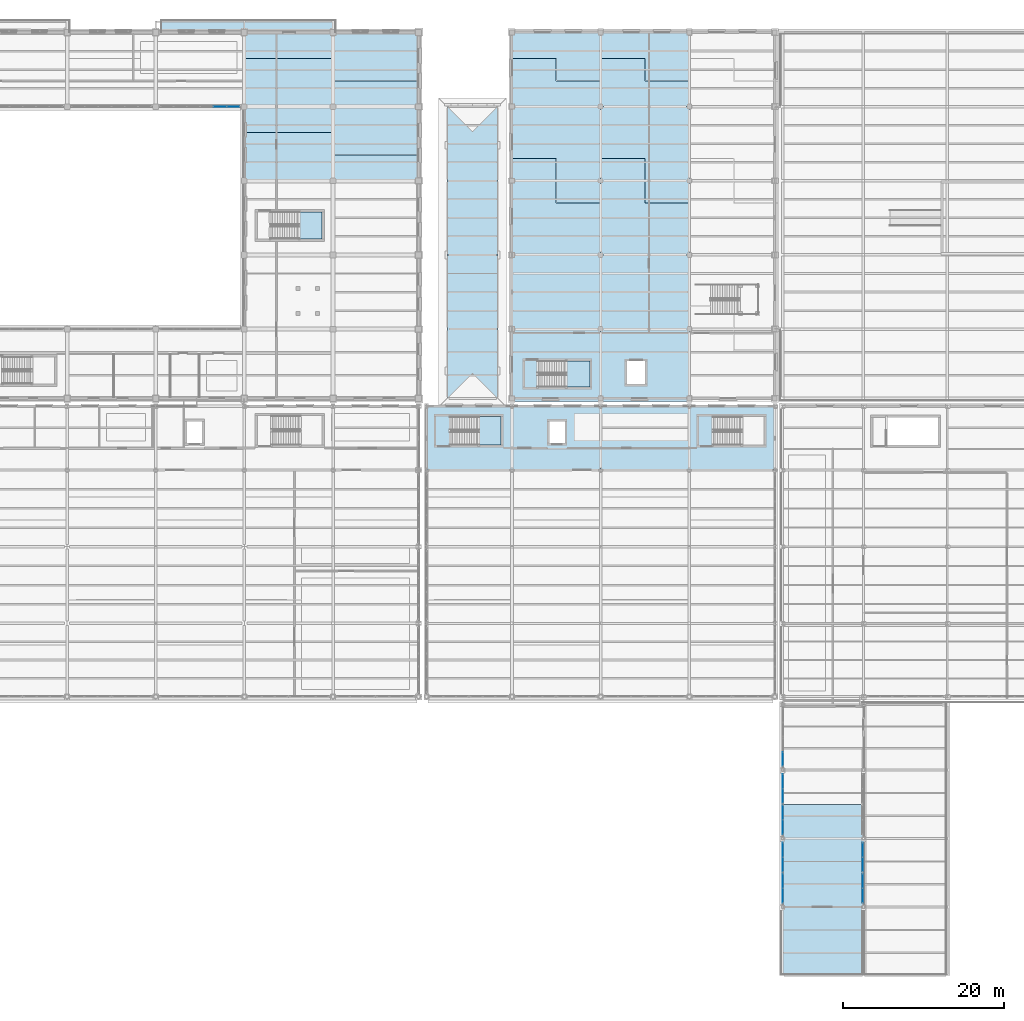
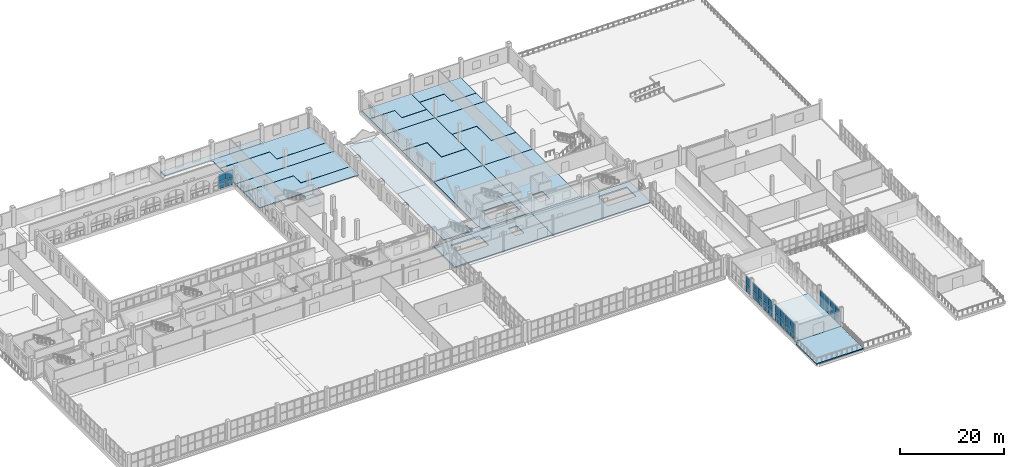
# One storey, part 107 of 156: 30 plates, 24 slabs, 11 elements without a shape of their own.
"""IFC4 building model written with IfcOpenShell, lengths in metres."""

from ifc_helpers import new_model, si_unit, direction, frame, origin, origin_2d, place, context, subcontext, project, spatial, polyline, rectangle, outline, extrude, material, layer, layer_set, type_object, element, aggregate, save


model = new_model("IFC4")

# Units and contexts
model_context = context("Model", 3, precision=1e-05, world=origin(), true_north=direction((0.0, 1.0)))
body_context = subcontext(model_context, "Body", "Model", "MODEL_VIEW")
ifc_project = project(units=[si_unit("LENGTHUNIT", "METRE"), si_unit("AREAUNIT", "SQUARE_METRE"), si_unit("VOLUMEUNIT", "CUBIC_METRE"), si_unit("PLANEANGLEUNIT", "RADIAN"), si_unit("MASSUNIT", "GRAM", prefix="KILO")], contexts=[model_context])

# Site, building, storey
site_placement = place(None, origin())
site = spatial("IfcSite", under=ifc_project, at=site_placement, CompositionType="ELEMENT")
building_placement = place(site_placement, origin())
building = spatial("IfcBuilding", under=site, at=building_placement, Name="Caurita Quay Ferry Terminal", CompositionType="ELEMENT")
storey_placement = place(building_placement, frame((0.0, 0.0, 5.39990234375)))
storey = spatial("IfcBuildingStorey", under=building, at=storey_placement, Name="L01", CompositionType="ELEMENT", Elevation=5.39990234375)

# Curtain wall, plates
ifc_material_1 = material(Name="Laminated solar-control insulated glass", Category="glass")
curtain_wall_type_1 = type_object("IfcCurtainWallType", Name="CW-SYS-15", PredefinedType="NOTDEFINED", material=ifc_material_1)
curtain_wall_1_placement = place(storey_placement, origin())
curtain_wall_1 = element("IfcCurtainWall", 1, at=curtain_wall_1_placement, inside=storey, type_object=curtain_wall_type_1, Name="Boarding Gangway Ribbon Curtain Wall 113", PredefinedType="NOTDEFINED")
ifc_layer_1 = layer(ifc_material_1, 0.02392578125, Name="Laminated low-e hurricane-rated glazing unit 24 mm")
ifc_layer_set_1 = layer_set([ifc_layer_1], Name="Laminated solar-control insulated glass")
plate_type = type_object("IfcPlateType", Name="CW-PNL-24", PredefinedType="CURTAIN_PANEL", material=ifc_layer_set_1)
plate_1_placement = place(storey_placement, frame((132.800048828125, 9.91259765625, 0.05322265625), z_axis=(0.0, 0.0, 1.0), x_axis=(0.0, 1.0, 0.0)))
plate_1 = element("IfcPlate", 2, at=plate_1_placement, type_object=plate_type, Name="CW-BGW-113 Glazing Panel 1", PredefinedType="CURTAIN_PANEL", context=body_context, shape_type="SweptSolid", body=[
    extrude(rectangle(XDim=1.7490234375, YDim=0.02392578125, at=origin_2d()), origin(), (0.0, 0.0, 1.0), 1.79638671875),
])
plate_2_placement = place(storey_placement, frame((132.800048828125, 9.91259765625, 1.900634765625), z_axis=(0.0, 0.0, 1.0), x_axis=(0.0, 1.0, 0.0)))
plate_2 = element("IfcPlate", 3, at=plate_2_placement, type_object=plate_type, Name="CW-BGW-113 Glazing Panel 2", PredefinedType="CURTAIN_PANEL", context=body_context, shape_type="SweptSolid", body=[
    extrude(rectangle(XDim=1.7490234375, YDim=0.02392578125, at=origin_2d()), origin(), (0.0, 0.0, 1.0), 1.79638671875),
])
plate_3_placement = place(storey_placement, frame((132.800048828125, 11.717529296875, 0.05322265625), z_axis=(0.0, 0.0, 1.0), x_axis=(0.0, 1.0, 0.0)))
plate_3 = element("IfcPlate", 4, at=plate_3_placement, type_object=plate_type, Name="CW-BGW-113 Glazing Panel 3", PredefinedType="CURTAIN_PANEL", context=body_context, shape_type="SweptSolid", body=[
    extrude(rectangle(XDim=1.7490234375, YDim=0.02392578125, at=origin_2d()), origin(), (0.0, 0.0, 1.0), 1.79638671875),
])
plate_4_placement = place(storey_placement, frame((132.800048828125, 11.717529296875, 1.900634765625), z_axis=(0.0, 0.0, 1.0), x_axis=(0.0, 1.0, 0.0)))
plate_4 = element("IfcPlate", 5, at=plate_4_placement, type_object=plate_type, Name="CW-BGW-113 Glazing Panel 4", PredefinedType="CURTAIN_PANEL", context=body_context, shape_type="SweptSolid", body=[
    extrude(rectangle(XDim=1.7490234375, YDim=0.02392578125, at=origin_2d()), origin(), (0.0, 0.0, 1.0), 1.79638671875),
])
aggregate(curtain_wall_1, [plate_1, plate_2, plate_3, plate_4])

curtain_wall_2_placement = place(storey_placement, origin())
curtain_wall_2 = element("IfcCurtainWall", 6, at=curtain_wall_2_placement, inside=storey, type_object=curtain_wall_type_1, Name="Boarding Gangway Ribbon Curtain Wall 114", PredefinedType="NOTDEFINED")
plate_5_placement = place(storey_placement, frame((132.800048828125, 13.782470703125, 0.05322265625), z_axis=(0.0, 0.0, 1.0), x_axis=(0.0, 1.0, 0.0)))
plate_5 = element("IfcPlate", 7, at=plate_5_placement, type_object=plate_type, Name="CW-BGW-114 Glazing Panel 1", PredefinedType="CURTAIN_PANEL", context=body_context, shape_type="SweptSolid", body=[
    extrude(rectangle(XDim=1.7490234375, YDim=0.02392578125, at=origin_2d()), origin(), (0.0, 0.0, 1.0), 1.79638671875),
])
plate_6_placement = place(storey_placement, frame((132.800048828125, 13.782470703125, 1.900634765625), z_axis=(0.0, 0.0, 1.0), x_axis=(0.0, 1.0, 0.0)))
plate_6 = element("IfcPlate", 8, at=plate_6_placement, type_object=plate_type, Name="CW-BGW-114 Glazing Panel 2", PredefinedType="CURTAIN_PANEL", context=body_context, shape_type="SweptSolid", body=[
    extrude(rectangle(XDim=1.7490234375, YDim=0.02392578125, at=origin_2d()), origin(), (0.0, 0.0, 1.0), 1.79638671875),
])
plate_7_placement = place(storey_placement, frame((132.800048828125, 15.58740234375, 0.05322265625), z_axis=(0.0, 0.0, 1.0), x_axis=(0.0, 1.0, 0.0)))
plate_7 = element("IfcPlate", 9, at=plate_7_placement, type_object=plate_type, Name="CW-BGW-114 Glazing Panel 3", PredefinedType="CURTAIN_PANEL", context=body_context, shape_type="SweptSolid", body=[
    extrude(rectangle(XDim=1.7490234375, YDim=0.02392578125, at=origin_2d()), origin(), (0.0, 0.0, 1.0), 1.79638671875),
])
plate_8_placement = place(storey_placement, frame((132.800048828125, 15.58740234375, 1.900634765625), z_axis=(0.0, 0.0, 1.0), x_axis=(0.0, 1.0, 0.0)))
plate_8 = element("IfcPlate", 10, at=plate_8_placement, type_object=plate_type, Name="CW-BGW-114 Glazing Panel 4", PredefinedType="CURTAIN_PANEL", context=body_context, shape_type="SweptSolid", body=[
    extrude(rectangle(XDim=1.7490234375, YDim=0.02392578125, at=origin_2d()), origin(), (0.0, 0.0, 1.0), 1.79638671875),
])
aggregate(curtain_wall_2, [plate_5, plate_6, plate_7, plate_8])

curtain_wall_3_placement = place(storey_placement, origin())
curtain_wall_3 = element("IfcCurtainWall", 11, at=curtain_wall_3_placement, inside=storey, type_object=curtain_wall_type_1, Name="Boarding Gangway Ribbon Curtain Wall 115", PredefinedType="NOTDEFINED")
plate_9_placement = place(storey_placement, frame((132.800048828125, 18.41259765625, 0.05322265625), z_axis=(0.0, 0.0, 1.0), x_axis=(0.0, 1.0, 0.0)))
plate_9 = element("IfcPlate", 12, at=plate_9_placement, type_object=plate_type, Name="CW-BGW-115 Glazing Panel 1", PredefinedType="CURTAIN_PANEL", context=body_context, shape_type="SweptSolid", body=[
    extrude(rectangle(XDim=1.7490234375, YDim=0.02392578125, at=origin_2d()), origin(), (0.0, 0.0, 1.0), 1.79638671875),
])
plate_10_placement = place(storey_placement, frame((132.800048828125, 18.41259765625, 1.900634765625), z_axis=(0.0, 0.0, 1.0), x_axis=(0.0, 1.0, 0.0)))
plate_10 = element("IfcPlate", 13, at=plate_10_placement, type_object=plate_type, Name="CW-BGW-115 Glazing Panel 2", PredefinedType="CURTAIN_PANEL", context=body_context, shape_type="SweptSolid", body=[
    extrude(rectangle(XDim=1.7490234375, YDim=0.02392578125, at=origin_2d()), origin(), (0.0, 0.0, 1.0), 1.79638671875),
])
plate_11_placement = place(storey_placement, frame((132.800048828125, 20.217529296875, 0.05322265625), z_axis=(0.0, 0.0, 1.0), x_axis=(0.0, 1.0, 0.0)))
plate_11 = element("IfcPlate", 14, at=plate_11_placement, type_object=plate_type, Name="CW-BGW-115 Glazing Panel 3", PredefinedType="CURTAIN_PANEL", context=body_context, shape_type="SweptSolid", body=[
    extrude(rectangle(XDim=1.7490234375, YDim=0.02392578125, at=origin_2d()), origin(), (0.0, 0.0, 1.0), 1.79638671875),
])
plate_12_placement = place(storey_placement, frame((132.800048828125, 20.217529296875, 1.900634765625), z_axis=(0.0, 0.0, 1.0), x_axis=(0.0, 1.0, 0.0)))
plate_12 = element("IfcPlate", 15, at=plate_12_placement, type_object=plate_type, Name="CW-BGW-115 Glazing Panel 4", PredefinedType="CURTAIN_PANEL", context=body_context, shape_type="SweptSolid", body=[
    extrude(rectangle(XDim=1.7490234375, YDim=0.02392578125, at=origin_2d()), origin(), (0.0, 0.0, 1.0), 1.79638671875),
])
aggregate(curtain_wall_3, [plate_9, plate_10, plate_11, plate_12])

curtain_wall_4_placement = place(storey_placement, origin())
curtain_wall_4 = element("IfcCurtainWall", 16, at=curtain_wall_4_placement, inside=storey, type_object=curtain_wall_type_1, Name="Boarding Gangway Ribbon Curtain Wall 116", PredefinedType="NOTDEFINED")
plate_13_placement = place(storey_placement, frame((132.800048828125, 22.282470703125, 0.05322265625), z_axis=(0.0, 0.0, 1.0), x_axis=(0.0, 1.0, 0.0)))
plate_13 = element("IfcPlate", 17, at=plate_13_placement, type_object=plate_type, Name="CW-BGW-116 Glazing Panel 1", PredefinedType="CURTAIN_PANEL", context=body_context, shape_type="SweptSolid", body=[
    extrude(rectangle(XDim=1.7490234375, YDim=0.02392578125, at=origin_2d()), origin(), (0.0, 0.0, 1.0), 1.79638671875),
])
plate_14_placement = place(storey_placement, frame((132.800048828125, 22.282470703125, 1.900634765625), z_axis=(0.0, 0.0, 1.0), x_axis=(0.0, 1.0, 0.0)))
plate_14 = element("IfcPlate", 18, at=plate_14_placement, type_object=plate_type, Name="CW-BGW-116 Glazing Panel 2", PredefinedType="CURTAIN_PANEL", context=body_context, shape_type="SweptSolid", body=[
    extrude(rectangle(XDim=1.7490234375, YDim=0.02392578125, at=origin_2d()), origin(), (0.0, 0.0, 1.0), 1.79638671875),
])
plate_15_placement = place(storey_placement, frame((132.800048828125, 24.08740234375, 0.05322265625), z_axis=(0.0, 0.0, 1.0), x_axis=(0.0, 1.0, 0.0)))
plate_15 = element("IfcPlate", 19, at=plate_15_placement, type_object=plate_type, Name="CW-BGW-116 Glazing Panel 3", PredefinedType="CURTAIN_PANEL", context=body_context, shape_type="SweptSolid", body=[
    extrude(rectangle(XDim=1.7490234375, YDim=0.02392578125, at=origin_2d()), origin(), (0.0, 0.0, 1.0), 1.79638671875),
])
plate_16_placement = place(storey_placement, frame((132.800048828125, 24.08740234375, 1.900634765625), z_axis=(0.0, 0.0, 1.0), x_axis=(0.0, 1.0, 0.0)))
plate_16 = element("IfcPlate", 20, at=plate_16_placement, type_object=plate_type, Name="CW-BGW-116 Glazing Panel 4", PredefinedType="CURTAIN_PANEL", context=body_context, shape_type="SweptSolid", body=[
    extrude(rectangle(XDim=1.7490234375, YDim=0.02392578125, at=origin_2d()), origin(), (0.0, 0.0, 1.0), 1.79638671875),
])
aggregate(curtain_wall_4, [plate_13, plate_14, plate_15, plate_16])

curtain_wall_type_2 = type_object("IfcCurtainWallType", Name="CW-SYS-16", PredefinedType="NOTDEFINED", material=ifc_material_1)
curtain_wall_5_placement = place(storey_placement, origin())
curtain_wall_5 = element("IfcCurtainWall", 21, at=curtain_wall_5_placement, inside=storey, type_object=curtain_wall_type_2, Name="Boarding Gangway Ribbon Curtain Wall 117", PredefinedType="NOTDEFINED")
plate_17_placement = place(storey_placement, frame((132.800048828125, 26.862548828125, 0.05322265625), z_axis=(0.0, 0.0, 1.0), x_axis=(0.0, 1.0, 0.0)))
plate_17 = element("IfcPlate", 22, at=plate_17_placement, type_object=plate_type, Name="CW-BGW-117 Glazing Panel 1", PredefinedType="CURTAIN_PANEL", context=body_context, shape_type="SweptSolid", body=[
    extrude(rectangle(XDim=1.64892578125, YDim=0.02392578125, at=origin_2d()), origin(), (0.0, 0.0, 1.0), 1.79638671875),
])
plate_18_placement = place(storey_placement, frame((132.800048828125, 26.862548828125, 1.900634765625), z_axis=(0.0, 0.0, 1.0), x_axis=(0.0, 1.0, 0.0)))
plate_18 = element("IfcPlate", 23, at=plate_18_placement, type_object=plate_type, Name="CW-BGW-117 Glazing Panel 2", PredefinedType="CURTAIN_PANEL", context=body_context, shape_type="SweptSolid", body=[
    extrude(rectangle(XDim=1.64892578125, YDim=0.02392578125, at=origin_2d()), origin(), (0.0, 0.0, 1.0), 1.79638671875),
])
aggregate(curtain_wall_5, [plate_17, plate_18])

curtain_wall_6_placement = place(storey_placement, origin())
curtain_wall_6 = element("IfcCurtainWall", 24, at=curtain_wall_6_placement, inside=storey, type_object=curtain_wall_type_1, Name="Boarding Gangway Ribbon Curtain Wall 119", PredefinedType="NOTDEFINED")
plate_19_placement = place(storey_placement, frame((142.699951171875, 9.91259765625, 0.05322265625), z_axis=(0.0, 0.0, 1.0), x_axis=(0.0, 1.0, 0.0)))
plate_19 = element("IfcPlate", 25, at=plate_19_placement, type_object=plate_type, Name="CW-BGW-119 Glazing Panel 1", PredefinedType="CURTAIN_PANEL", context=body_context, shape_type="SweptSolid", body=[
    extrude(rectangle(XDim=1.7490234375, YDim=0.02392578125, at=origin_2d()), origin(), (0.0, 0.0, 1.0), 1.79638671875),
])
plate_20_placement = place(storey_placement, frame((142.699951171875, 9.91259765625, 1.900634765625), z_axis=(0.0, 0.0, 1.0), x_axis=(0.0, 1.0, 0.0)))
plate_20 = element("IfcPlate", 26, at=plate_20_placement, type_object=plate_type, Name="CW-BGW-119 Glazing Panel 2", PredefinedType="CURTAIN_PANEL", context=body_context, shape_type="SweptSolid", body=[
    extrude(rectangle(XDim=1.7490234375, YDim=0.02392578125, at=origin_2d()), origin(), (0.0, 0.0, 1.0), 1.79638671875),
])
plate_21_placement = place(storey_placement, frame((142.699951171875, 11.717529296875, 0.05322265625), z_axis=(0.0, 0.0, 1.0), x_axis=(0.0, 1.0, 0.0)))
plate_21 = element("IfcPlate", 27, at=plate_21_placement, type_object=plate_type, Name="CW-BGW-119 Glazing Panel 3", PredefinedType="CURTAIN_PANEL", context=body_context, shape_type="SweptSolid", body=[
    extrude(rectangle(XDim=1.7490234375, YDim=0.02392578125, at=origin_2d()), origin(), (0.0, 0.0, 1.0), 1.79638671875),
])
plate_22_placement = place(storey_placement, frame((142.699951171875, 11.717529296875, 1.900634765625), z_axis=(0.0, 0.0, 1.0), x_axis=(0.0, 1.0, 0.0)))
plate_22 = element("IfcPlate", 28, at=plate_22_placement, type_object=plate_type, Name="CW-BGW-119 Glazing Panel 4", PredefinedType="CURTAIN_PANEL", context=body_context, shape_type="SweptSolid", body=[
    extrude(rectangle(XDim=1.7490234375, YDim=0.02392578125, at=origin_2d()), origin(), (0.0, 0.0, 1.0), 1.79638671875),
])
aggregate(curtain_wall_6, [plate_19, plate_20, plate_21, plate_22])

curtain_wall_7_placement = place(storey_placement, origin())
curtain_wall_7 = element("IfcCurtainWall", 29, at=curtain_wall_7_placement, inside=storey, type_object=curtain_wall_type_1, Name="Boarding Gangway Ribbon Curtain Wall 120", PredefinedType="NOTDEFINED")
plate_23_placement = place(storey_placement, frame((142.699951171875, 13.782470703125, 0.05322265625), z_axis=(0.0, 0.0, 1.0), x_axis=(0.0, 1.0, 0.0)))
plate_23 = element("IfcPlate", 30, at=plate_23_placement, type_object=plate_type, Name="CW-BGW-120 Glazing Panel 1", PredefinedType="CURTAIN_PANEL", context=body_context, shape_type="SweptSolid", body=[
    extrude(rectangle(XDim=1.7490234375, YDim=0.02392578125, at=origin_2d()), origin(), (0.0, 0.0, 1.0), 1.79638671875),
])
plate_24_placement = place(storey_placement, frame((142.699951171875, 13.782470703125, 1.900634765625), z_axis=(0.0, 0.0, 1.0), x_axis=(0.0, 1.0, 0.0)))
plate_24 = element("IfcPlate", 31, at=plate_24_placement, type_object=plate_type, Name="CW-BGW-120 Glazing Panel 2", PredefinedType="CURTAIN_PANEL", context=body_context, shape_type="SweptSolid", body=[
    extrude(rectangle(XDim=1.7490234375, YDim=0.02392578125, at=origin_2d()), origin(), (0.0, 0.0, 1.0), 1.79638671875),
])
plate_25_placement = place(storey_placement, frame((142.699951171875, 15.58740234375, 0.05322265625), z_axis=(0.0, 0.0, 1.0), x_axis=(0.0, 1.0, 0.0)))
plate_25 = element("IfcPlate", 32, at=plate_25_placement, type_object=plate_type, Name="CW-BGW-120 Glazing Panel 3", PredefinedType="CURTAIN_PANEL", context=body_context, shape_type="SweptSolid", body=[
    extrude(rectangle(XDim=1.7490234375, YDim=0.02392578125, at=origin_2d()), origin(), (0.0, 0.0, 1.0), 1.79638671875),
])
plate_26_placement = place(storey_placement, frame((142.699951171875, 15.58740234375, 1.900634765625), z_axis=(0.0, 0.0, 1.0), x_axis=(0.0, 1.0, 0.0)))
plate_26 = element("IfcPlate", 33, at=plate_26_placement, type_object=plate_type, Name="CW-BGW-120 Glazing Panel 4", PredefinedType="CURTAIN_PANEL", context=body_context, shape_type="SweptSolid", body=[
    extrude(rectangle(XDim=1.7490234375, YDim=0.02392578125, at=origin_2d()), origin(), (0.0, 0.0, 1.0), 1.79638671875),
])
aggregate(curtain_wall_7, [plate_23, plate_24, plate_25, plate_26])

curtain_wall_type_3 = type_object("IfcCurtainWallType", Name="CW-SYS-23", PredefinedType="NOTDEFINED", material=ifc_material_1)
curtain_wall_8_placement = place(storey_placement, origin())
curtain_wall_8 = element("IfcCurtainWall", 34, at=curtain_wall_8_placement, inside=storey, type_object=curtain_wall_type_3, Name="L01 Courtyard Cloister Storefront 163", PredefinedType="NOTDEFINED")
plate_27_placement = place(storey_placement, frame((62.97509765625, 107.800048828125, 0.05810546875), z_axis=(0.0, 0.0, 1.0), x_axis=(1.0, 0.0, 0.0)))
plate_27 = element("IfcPlate", 35, at=plate_27_placement, type_object=plate_type, Name="CW-CRT-163 Glazing Panel 9", PredefinedType="CURTAIN_PANEL", context=body_context, shape_type="SweptSolid", body=[
    extrude(rectangle(XDim=1.593994140625, YDim=0.02392578125, at=origin_2d()), origin(), (0.0, 0.0, 1.0), 1.714111328125),
])
plate_28_placement = place(storey_placement, frame((62.97509765625, 107.800048828125, 1.828125), z_axis=(0.0, 0.0, 1.0), x_axis=(1.0, 0.0, 0.0)))
plate_28 = element("IfcPlate", 36, at=plate_28_placement, type_object=plate_type, Name="CW-CRT-163 Glazing Panel 10", PredefinedType="CURTAIN_PANEL", context=body_context, shape_type="SweptSolid", body=[
    extrude(rectangle(XDim=1.593994140625, YDim=0.02392578125, at=origin_2d()), origin(), (0.0, 0.0, 1.0), 1.714111328125),
])
plate_29_placement = place(storey_placement, frame((64.610107421875, 107.800048828125, 0.05810546875), z_axis=(0.0, 0.0, 1.0), x_axis=(1.0, 0.0, 0.0)))
plate_29 = element("IfcPlate", 37, at=plate_29_placement, type_object=plate_type, Name="CW-CRT-163 Glazing Panel 11", PredefinedType="CURTAIN_PANEL", context=body_context, shape_type="SweptSolid", body=[
    extrude(rectangle(XDim=1.56396484375, YDim=0.02392578125, at=origin_2d()), origin(), (0.0, 0.0, 1.0), 1.714111328125),
])
plate_30_placement = place(storey_placement, frame((64.610107421875, 107.800048828125, 1.828125), z_axis=(0.0, 0.0, 1.0), x_axis=(1.0, 0.0, 0.0)))
plate_30 = element("IfcPlate", 38, at=plate_30_placement, type_object=plate_type, Name="CW-CRT-163 Glazing Panel 12", PredefinedType="CURTAIN_PANEL", context=body_context, shape_type="SweptSolid", body=[
    extrude(rectangle(XDim=1.56396484375, YDim=0.02392578125, at=origin_2d()), origin(), (0.0, 0.0, 1.0), 1.714111328125),
])
aggregate(curtain_wall_8, [plate_27, plate_28, plate_29, plate_30])

# Slabs
ifc_material_2 = material(Name="Reinforced concrete C35/45", Category="concrete")
ifc_layer_2 = layer(ifc_material_2, 0.219970703125, Name="Reinforced concrete floor slab 220 mm")
ifc_layer_set_2 = layer_set([ifc_layer_2], Name="Reinforced concrete C35/45")
slab_type_1 = type_object("IfcSlabType", Name="SLB-BAL-220", PredefinedType="FLOOR", material=ifc_layer_set_2)
slab_1_placement = place(storey_placement, frame((0.0, 0.0, -0.219970703125)))
element("IfcSlab", 39, at=slab_1_placement, inside=storey, type_object=slab_type_1, Name="North Street East Portales Gallery Balcony", PredefinedType="FLOOR", context=body_context, shape_type="SweptSolid", body=[
    extrude(outline(polyline([(55.60009765625, 117.0), (77.39990234375, 117.0), (77.39990234375, 118.550048828125), (55.60009765625, 118.550048828125), (55.60009765625, 117.0)])), origin(), (0.0, 0.0, 1.0), 0.219970703125),
])
ifc_material_3 = material(Name="Precast concrete C40/50", Category="concrete")
ifc_layer_3 = layer(ifc_material_3, 0.14990234375, Name="Reinforced concrete roof slab 150 mm")
ifc_layer_set_3 = layer_set([ifc_layer_3], Name="Precast concrete C40/50")
slab_type_2 = type_object("IfcSlabType", Name="SLB-CNP-150", PredefinedType="ROOF", material=ifc_layer_set_3)
slab_2_placement = place(storey_placement, frame((0.0, 0.0, -0.14990234375)))
element("IfcSlab", 40, at=slab_2_placement, inside=storey, type_object=slab_type_2, Name="L01 V6-CNP Slab 01", PredefinedType="ROOF", context=body_context, shape_type="SweptSolid", body=[
    extrude(outline(polyline([(91.199951171875, 71.60009765625), (97.39990234375, 71.60009765625), (97.39990234375, 89.39990234375), (91.199951171875, 89.39990234375), (91.199951171875, 71.60009765625)])), origin(), (0.0, 0.0, 1.0), 0.14990234375),
])
slab_3_placement = place(storey_placement, frame((0.0, 0.0, -0.14990234375)))
element("IfcSlab", 41, at=slab_3_placement, inside=storey, type_object=slab_type_2, Name="L01 V6-CNP Slab 02", PredefinedType="ROOF", context=body_context, shape_type="SweptSolid", body=[
    extrude(outline(polyline([(91.199951171875, 89.39990234375), (97.39990234375, 89.39990234375), (97.39990234375, 107.800048828125), (91.199951171875, 107.800048828125), (91.199951171875, 89.39990234375)])), origin(), (0.0, 0.0, 1.0), 0.14990234375),
])
ifc_layer_4 = layer(ifc_material_2, 0.300048828125, Name="Reinforced concrete floor slab 300 mm")
ifc_layer_set_4 = layer_set([ifc_layer_4], Name="Reinforced concrete C35/45")
slab_type_3 = type_object("IfcSlabType", Name="SLB-CONC-300", PredefinedType="FLOOR", material=ifc_layer_set_4)
slab_4_placement = place(storey_placement, frame((0.0, 0.0, -0.2998046875)))
element("IfcSlab", 42, at=slab_4_placement, inside=storey, type_object=slab_type_3, Name="L01 V2-FLR Slab 03", PredefinedType="FLOOR", context=body_context, shape_type="SweptSolid", body=[
    extrude(outline(polyline([(88.5, 62.699951171875), (110.199951171875, 62.699951171875), (110.199951171875, 70.75), (88.5, 70.75), (88.5, 62.699951171875)]), holes=[polyline([(91.5, 65.800048828125), (97.85009765625, 65.800048828125), (97.85009765625, 69.360107421875), (91.5, 69.360107421875), (91.5, 65.800048828125)]), polyline([(103.85498046875, 66.054931640625), (105.7451171875, 66.054931640625), (105.7451171875, 68.7451171875), (103.85498046875, 68.7451171875), (103.85498046875, 66.054931640625)])]), origin(), (0.0, 0.0, 1.0), 0.2998046875),
])
slab_5_placement = place(storey_placement, frame((0.0, 0.0, -0.2998046875)))
element("IfcSlab", 43, at=slab_5_placement, inside=storey, type_object=slab_type_3, Name="L01 V2-FLR Slab 06", PredefinedType="FLOOR", context=body_context, shape_type="SweptSolid", body=[
    extrude(outline(polyline([(110.199951171875, 62.699951171875), (131.89990234375, 62.699951171875), (131.89990234375, 70.75), (110.199951171875, 70.75), (110.199951171875, 62.699951171875)]), holes=[polyline([(124.10009765625, 65.800048828125), (130.449951171875, 65.800048828125), (130.449951171875, 69.360107421875), (124.10009765625, 69.360107421875), (124.10009765625, 65.800048828125)])]), origin(), (0.0, 0.0, 1.0), 0.2998046875),
])
ifc_layer_5 = layer(ifc_material_2, 0.219970703125, Name="Reinforced concrete floor slab 220 mm")
ifc_layer_set_5 = layer_set([ifc_layer_5], Name="Reinforced concrete C35/45")
slab_type_4 = type_object("IfcSlabType", Name="SLB-FLR-220", PredefinedType="FLOOR", material=ifc_layer_set_5)
slab_6_placement = place(storey_placement, frame((0.0, 0.0, -0.219970703125)))
element("IfcSlab", 44, at=slab_6_placement, inside=storey, type_object=slab_type_4, Name="L01 V5-FLR Slab 11A", PredefinedType="FLOOR", context=body_context, shape_type="SweptSolid", body=[
    extrude(outline(polyline([(66.0, 98.60009765625), (88.0, 98.60009765625), (88.0, 101.804931640625), (76.985107421875, 101.804931640625), (76.985107421875, 104.56494140625), (66.0, 104.56494140625), (66.0, 98.60009765625)])), origin(), (0.0, 0.0, 1.0), 0.219970703125),
])
slab_7_placement = place(storey_placement, frame((0.0, 0.0, -0.219970703125)))
element("IfcSlab", 45, at=slab_7_placement, inside=storey, type_object=slab_type_4, Name="L01 V5-FLR Slab 11B", PredefinedType="FLOOR", context=body_context, shape_type="SweptSolid", body=[
    extrude(outline(polyline([(77.014892578125, 101.8349609375), (88.0, 101.8349609375), (88.0, 107.800048828125), (66.0, 107.800048828125), (66.0, 104.594970703125), (77.014892578125, 104.594970703125), (77.014892578125, 101.8349609375)])), origin(), (0.0, 0.0, 1.0), 0.219970703125),
])
slab_8_placement = place(storey_placement, frame((0.0, 0.0, -0.219970703125)))
element("IfcSlab", 46, at=slab_8_placement, inside=storey, type_object=slab_type_4, Name="L01 V5-FLR Slab 12A", PredefinedType="FLOOR", context=body_context, shape_type="SweptSolid", body=[
    extrude(outline(polyline([(66.0, 107.800048828125), (88.0, 107.800048828125), (88.0, 111.0048828125), (76.985107421875, 111.0048828125), (76.985107421875, 113.764892578125), (66.0, 113.764892578125), (66.0, 107.800048828125)])), origin(), (0.0, 0.0, 1.0), 0.219970703125),
])
slab_9_placement = place(storey_placement, frame((0.0, 0.0, -0.219970703125)))
element("IfcSlab", 47, at=slab_9_placement, inside=storey, type_object=slab_type_4, Name="L01 V5-FLR Slab 12B", PredefinedType="FLOOR", context=body_context, shape_type="SweptSolid", body=[
    extrude(outline(polyline([(77.014892578125, 111.034912109375), (88.0, 111.034912109375), (88.0, 117.0), (66.0, 117.0), (66.0, 113.794921875), (77.014892578125, 113.794921875), (77.014892578125, 111.034912109375)])), origin(), (0.0, 0.0, 1.0), 0.219970703125),
])
ifc_layer_6 = layer(ifc_material_2, 0.235107421875, Name="Reinforced concrete floor slab 235 mm")
ifc_layer_set_6 = layer_set([ifc_layer_6], Name="Reinforced concrete C35/45")
slab_type_5 = type_object("IfcSlabType", Name="SLB-FLR-235", PredefinedType="FLOOR", material=ifc_layer_set_6)
slab_10_placement = place(storey_placement, frame((0.0, 0.0, -0.23486328125)))
element("IfcSlab", 48, at=slab_10_placement, inside=storey, type_object=slab_type_5, Name="L01 V3-GW1 Slab 01", PredefinedType="FLOOR", context=body_context, shape_type="SweptSolid", body=[
    extrude(outline(polyline([(132.780029296875, 8.5), (142.800048828125, 8.5), (142.800048828125, 21.199951171875), (132.780029296875, 21.199951171875), (132.780029296875, 8.5)])), origin(), (0.0, 0.0, 1.0), 0.23486328125),
])
ifc_layer_7 = layer(ifc_material_2, 0.260009765625, Name="Reinforced concrete floor slab 260 mm")
ifc_layer_set_7 = layer_set([ifc_layer_7], Name="Reinforced concrete C35/45")
slab_type_6 = type_object("IfcSlabType", Name="SLB-GDN-260", PredefinedType="FLOOR", material=ifc_layer_set_7)
slab_11_placement = place(storey_placement, frame((0.0, 0.0, -0.260009765625)))
element("IfcSlab", 49, at=slab_11_placement, inside=storey, type_object=slab_type_6, Name="Berth 1 Observation Deck", PredefinedType="FLOOR", context=body_context, shape_type="SweptSolid", body=[
    extrude(outline(polyline([(132.39990234375, 0.0), (142.800048828125, 0.0), (142.800048828125, 8.5), (132.780029296875, 8.5), (132.780029296875, 7.89990234375), (132.39990234375, 7.89990234375), (132.39990234375, 0.0)])), origin(), (0.0, 0.0, 1.0), 0.260009765625),
])

# Stair, slab
stair_type_1 = type_object("IfcStairType", Name="STR-DL-05", PredefinedType="HALF_TURN_STAIR", material=ifc_material_2)
stair_1_placement = place(storey_placement, origin())
stair_1 = element("IfcStair", 50, at=stair_1_placement, inside=storey, type_object=stair_type_1, Name="L01 Protected Exit Stair ST-04", PredefinedType="HALF_TURN_STAIR")
ifc_layer_8 = layer(ifc_material_2, 0.199951171875, Name="Reinforced concrete landing slab 200 mm")
ifc_layer_set_8 = layer_set([ifc_layer_8], Name="Reinforced concrete C35/45")
slab_type_7 = type_object("IfcSlabType", Name="SLB-LND-200", PredefinedType="LANDING", material=ifc_layer_set_8)
slab_12_placement = place(storey_placement, frame((0.0, 0.0, 2.050048828125)))
slab_12 = element("IfcSlab", 51, at=slab_12_placement, type_object=slab_type_7, Name="ST-04 landing 1", PredefinedType="LANDING", context=body_context, shape_type="SweptSolid", body=[
    extrude(outline(polyline([(72.800048828125, 91.39990234375), (75.64990234375, 91.39990234375), (75.64990234375, 94.760009765625), (72.800048828125, 94.760009765625), (72.800048828125, 91.39990234375)])), origin(), (0.0, 0.0, 1.0), 0.199951171875),
])
aggregate(stair_1, [slab_12])

stair_type_2 = type_object("IfcStairType", Name="STR-DL-11", PredefinedType="HALF_TURN_STAIR", material=ifc_material_2)
stair_2_placement = place(storey_placement, origin())
stair_2 = element("IfcStair", 52, at=stair_2_placement, inside=storey, type_object=stair_type_2, Name="L01 Protected Exit Stair ST-08", PredefinedType="HALF_TURN_STAIR")
slab_13_placement = place(storey_placement, frame((0.0, 0.0, 2.050048828125)))
slab_13 = element("IfcSlab", 53, at=slab_13_placement, type_object=slab_type_7, Name="ST-08 landing 1", PredefinedType="LANDING", context=body_context, shape_type="SweptSolid", body=[
    extrude(outline(polyline([(95.10009765625, 65.800048828125), (97.85009765625, 65.800048828125), (97.85009765625, 69.360107421875), (95.10009765625, 69.360107421875), (95.10009765625, 65.800048828125)])), origin(), (0.0, 0.0, 1.0), 0.199951171875),
])
aggregate(stair_2, [slab_13])

stair_type_3 = type_object("IfcStairType", Name="STR-DL-13", PredefinedType="HALF_TURN_STAIR", material=ifc_material_2)
stair_3_placement = place(storey_placement, origin())
stair_3 = element("IfcStair", 54, at=stair_3_placement, inside=storey, type_object=stair_type_3, Name="L01 Protected Exit Stair ST-12", PredefinedType="HALF_TURN_STAIR")
slab_14_placement = place(storey_placement, frame((0.0, 0.0, 2.050048828125)))
slab_14 = element("IfcSlab", 55, at=slab_14_placement, type_object=slab_type_7, Name="ST-12 landing 1", PredefinedType="LANDING", context=body_context, shape_type="SweptSolid", body=[
    extrude(outline(polyline([(105.949951171875, 73.0), (108.85009765625, 73.0), (108.85009765625, 76.260009765625), (105.949951171875, 76.260009765625), (105.949951171875, 73.0)])), origin(), (0.0, 0.0, 1.0), 0.199951171875),
])
aggregate(stair_3, [slab_14])

# Slabs
ifc_layer_9 = layer(ifc_material_2, 0.179931640625, Name="Reinforced concrete floor slab 180 mm")
ifc_layer_set_9 = layer_set([ifc_layer_9], Name="Reinforced concrete C35/45")
slab_type_8 = type_object("IfcSlabType", Name="SLB-VD-180", PredefinedType="FLOOR", material=ifc_layer_set_9)
slab_15_placement = place(storey_placement, frame((0.0, 0.0, -0.179931640625)))
element("IfcSlab", 56, at=slab_15_placement, inside=storey, type_object=slab_type_8, Name="L01 V4W-FLR Slab 01", PredefinedType="FLOOR", context=body_context, shape_type="SweptSolid", body=[
    extrude(outline(polyline([(99.199951171875, 71.199951171875), (110.199951171875, 71.199951171875), (110.199951171875, 89.39990234375), (99.199951171875, 89.39990234375), (99.199951171875, 71.199951171875)]), holes=[polyline([(102.35009765625, 73.0), (108.85009765625, 73.0), (108.85009765625, 76.260009765625), (102.35009765625, 76.260009765625), (102.35009765625, 73.0)])]), origin(), (0.0, 0.0, 1.0), 0.179931640625),
])
slab_16_placement = place(storey_placement, frame((0.0, 0.0, -0.179931640625)))
element("IfcSlab", 57, at=slab_16_placement, inside=storey, type_object=slab_type_8, Name="L01 V4W-FLR Slab 02A", PredefinedType="FLOOR", context=body_context, shape_type="SweptSolid", body=[
    extrude(outline(polyline([(99.199951171875, 89.39990234375), (110.199951171875, 89.39990234375), (110.199951171875, 95.824951171875), (104.68505859375, 95.824951171875), (104.68505859375, 101.344970703125), (99.199951171875, 101.344970703125), (99.199951171875, 89.39990234375)])), origin(), (0.0, 0.0, 1.0), 0.179931640625),
])
slab_17_placement = place(storey_placement, frame((0.0, 0.0, -0.179931640625)))
element("IfcSlab", 58, at=slab_17_placement, inside=storey, type_object=slab_type_8, Name="L01 V4W-FLR Slab 02B", PredefinedType="FLOOR", context=body_context, shape_type="SweptSolid", body=[
    extrude(outline(polyline([(104.715087890625, 95.85498046875), (110.199951171875, 95.85498046875), (110.199951171875, 107.800048828125), (99.199951171875, 107.800048828125), (99.199951171875, 101.375), (104.715087890625, 101.375), (104.715087890625, 95.85498046875)])), origin(), (0.0, 0.0, 1.0), 0.179931640625),
])
slab_18_placement = place(storey_placement, frame((0.0, 0.0, -0.179931640625)))
element("IfcSlab", 59, at=slab_18_placement, inside=storey, type_object=slab_type_8, Name="L01 V4W-FLR Slab 03A", PredefinedType="FLOOR", context=body_context, shape_type="SweptSolid", body=[
    extrude(outline(polyline([(99.199951171875, 107.800048828125), (110.199951171875, 107.800048828125), (110.199951171875, 111.0048828125), (104.68505859375, 111.0048828125), (104.68505859375, 113.764892578125), (99.199951171875, 113.764892578125), (99.199951171875, 107.800048828125)])), origin(), (0.0, 0.0, 1.0), 0.179931640625),
])
slab_19_placement = place(storey_placement, frame((0.0, 0.0, -0.179931640625)))
element("IfcSlab", 60, at=slab_19_placement, inside=storey, type_object=slab_type_8, Name="L01 V4W-FLR Slab 03B", PredefinedType="FLOOR", context=body_context, shape_type="SweptSolid", body=[
    extrude(outline(polyline([(104.715087890625, 111.034912109375), (110.199951171875, 111.034912109375), (110.199951171875, 117.0), (99.199951171875, 117.0), (99.199951171875, 113.794921875), (104.715087890625, 113.794921875), (104.715087890625, 111.034912109375)])), origin(), (0.0, 0.0, 1.0), 0.179931640625),
])
slab_20_placement = place(storey_placement, frame((0.0, 0.0, -0.179931640625)))
element("IfcSlab", 61, at=slab_20_placement, inside=storey, type_object=slab_type_8, Name="L01 V4W-FLR Slab 04", PredefinedType="FLOOR", context=body_context, shape_type="SweptSolid", body=[
    extrude(outline(polyline([(110.199951171875, 71.199951171875), (121.199951171875, 71.199951171875), (121.199951171875, 89.39990234375), (110.199951171875, 89.39990234375), (110.199951171875, 71.199951171875)]), holes=[polyline([(113.47998046875, 73.3798828125), (115.719970703125, 73.3798828125), (115.719970703125, 76.219970703125), (113.47998046875, 76.219970703125), (113.47998046875, 73.3798828125)])]), origin(), (0.0, 0.0, 1.0), 0.179931640625),
])
slab_21_placement = place(storey_placement, frame((0.0, 0.0, -0.179931640625)))
element("IfcSlab", 62, at=slab_21_placement, inside=storey, type_object=slab_type_8, Name="L01 V4W-FLR Slab 05A", PredefinedType="FLOOR", context=body_context, shape_type="SweptSolid", body=[
    extrude(outline(polyline([(110.199951171875, 89.39990234375), (121.199951171875, 89.39990234375), (121.199951171875, 95.824951171875), (115.68505859375, 95.824951171875), (115.68505859375, 101.344970703125), (110.199951171875, 101.344970703125), (110.199951171875, 89.39990234375)])), origin(), (0.0, 0.0, 1.0), 0.179931640625),
])
slab_22_placement = place(storey_placement, frame((0.0, 0.0, -0.179931640625)))
element("IfcSlab", 63, at=slab_22_placement, inside=storey, type_object=slab_type_8, Name="L01 V4W-FLR Slab 05B", PredefinedType="FLOOR", context=body_context, shape_type="SweptSolid", body=[
    extrude(outline(polyline([(115.715087890625, 95.85498046875), (121.199951171875, 95.85498046875), (121.199951171875, 107.800048828125), (110.199951171875, 107.800048828125), (110.199951171875, 101.375), (115.715087890625, 101.375), (115.715087890625, 95.85498046875)])), origin(), (0.0, 0.0, 1.0), 0.179931640625),
])
slab_23_placement = place(storey_placement, frame((0.0, 0.0, -0.179931640625)))
element("IfcSlab", 64, at=slab_23_placement, inside=storey, type_object=slab_type_8, Name="L01 V4W-FLR Slab 06A", PredefinedType="FLOOR", context=body_context, shape_type="SweptSolid", body=[
    extrude(outline(polyline([(110.199951171875, 107.800048828125), (121.199951171875, 107.800048828125), (121.199951171875, 111.0048828125), (115.68505859375, 111.0048828125), (115.68505859375, 113.764892578125), (110.199951171875, 113.764892578125), (110.199951171875, 107.800048828125)])), origin(), (0.0, 0.0, 1.0), 0.179931640625),
])
slab_24_placement = place(storey_placement, frame((0.0, 0.0, -0.179931640625)))
element("IfcSlab", 65, at=slab_24_placement, inside=storey, type_object=slab_type_8, Name="L01 V4W-FLR Slab 06B", PredefinedType="FLOOR", context=body_context, shape_type="SweptSolid", body=[
    extrude(outline(polyline([(115.715087890625, 111.034912109375), (121.199951171875, 111.034912109375), (121.199951171875, 117.0), (110.199951171875, 117.0), (110.199951171875, 113.794921875), (115.715087890625, 113.794921875), (115.715087890625, 111.034912109375)])), origin(), (0.0, 0.0, 1.0), 0.179931640625),
])

save(model, "model.ifc")
